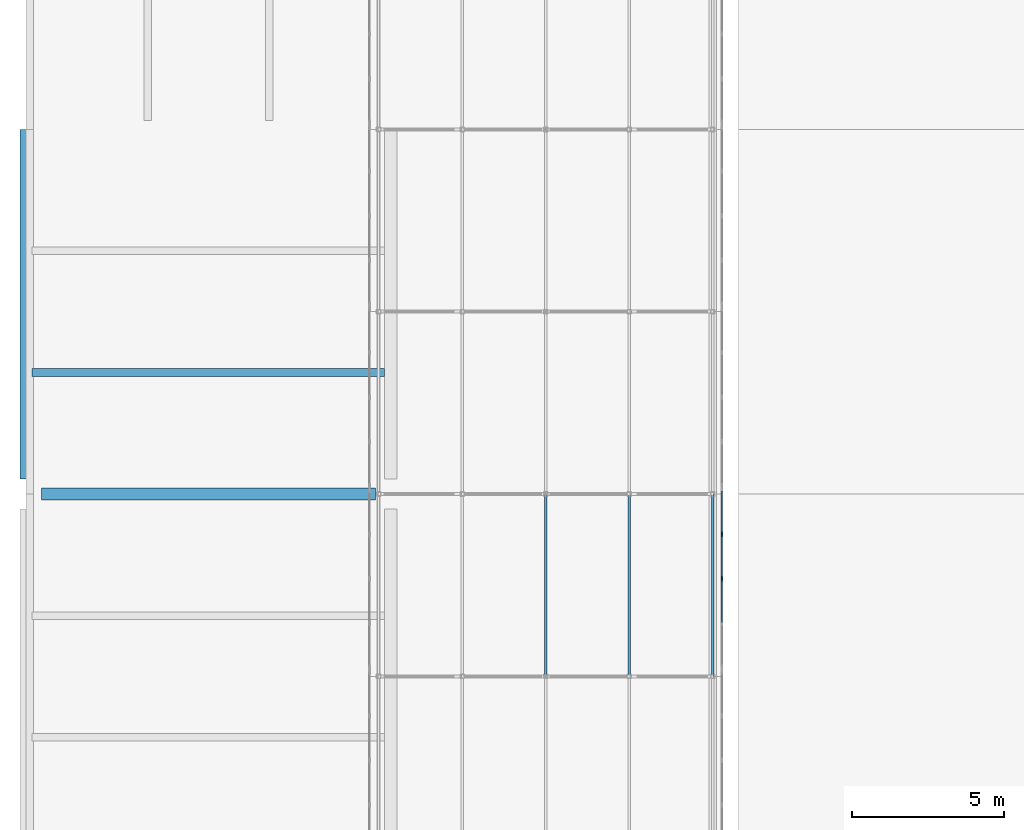
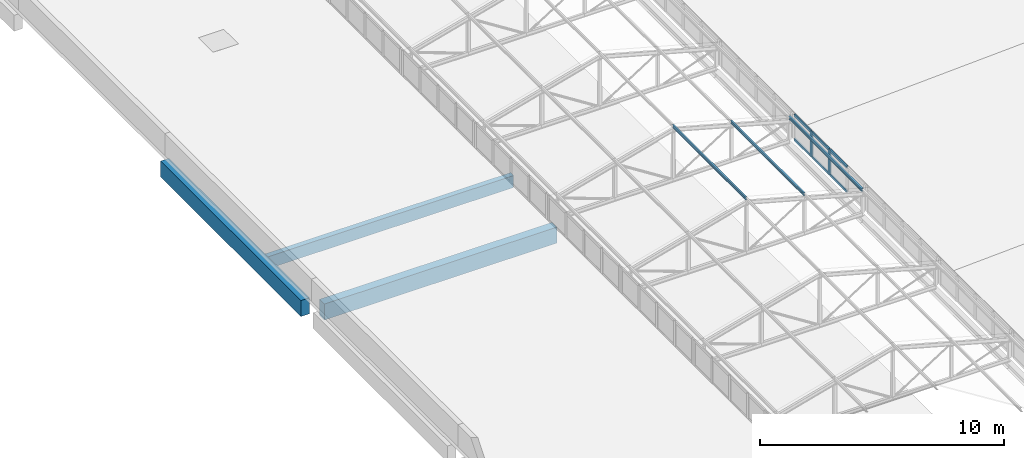
# One storey, part 16 of 94: 11 members, 3 beams, 1 element without a shape of its own.
"""IFC4 building model written with IfcOpenShell, lengths in metres."""

from ifc_helpers import new_model, si_unit, direction, frame, origin, origin_2d, place, context, subcontext, project, spatial, rectangle, i_section, extrude, material, layer, layer_set, material_profile, profile_set, type_object, element, aggregate, save


model = new_model("IFC4")

# Units and contexts
model_context = context("Model", 3, precision=1e-05, world=origin(), true_north=direction((0.0, 1.0)))
body_context = subcontext(model_context, "Body", "Model", "MODEL_VIEW")
ifc_project = project(units=[si_unit("LENGTHUNIT", "METRE"), si_unit("AREAUNIT", "SQUARE_METRE"), si_unit("VOLUMEUNIT", "CUBIC_METRE"), si_unit("PLANEANGLEUNIT", "RADIAN"), si_unit("MASSUNIT", "GRAM", prefix="KILO")], contexts=[model_context])

# Site, building, storey
site_placement = place(None, origin())
site = spatial("IfcSite", under=ifc_project, at=site_placement, CompositionType="ELEMENT")
building_placement = place(site_placement, origin())
building = spatial("IfcBuilding", under=site, at=building_placement, Name="Lilac Gate Convention Centre", CompositionType="ELEMENT")
storey_placement = place(building_placement, frame((0.0, 0.0, 21.0)))
storey = spatial("IfcBuildingStorey", under=building, at=storey_placement, Name="L04", CompositionType="ELEMENT", Elevation=21.0)

# Curtain wall, members
ifc_material_1 = material(Name="Aluminium framed double glazing", Category="aluminium")
ifc_layer = layer(ifc_material_1, 0.199951171875)
ifc_layer_set = layer_set([ifc_layer], Name="Aluminium framed double glazing")
curtain_wall_type = type_object("IfcCurtainWallType", Name="Unitised curtain wall 1500", PredefinedType="NOTDEFINED", material=ifc_layer_set)
curtain_wall_placement = place(storey_placement, origin())
curtain_wall = element("IfcCurtainWall", 1, at=curtain_wall_placement, inside=storey, type_object=curtain_wall_type, Name="Lantern clerestory E 8", PredefinedType="NOTDEFINED")
ifc_material_2 = material(Name="Aluminium alloy 6063", Category="aluminium")
ifc_material_profile_1 = material_profile(ifc_material_2, rectangle(XDim=0.06005859375, YDim=0.159912109375, at=origin_2d()), Name="Curtain wall mullion 60 x 160")
ifc_profile_set_1 = profile_set([ifc_material_profile_1], Name="Aluminium alloy 6063")
member_type_1 = type_object("IfcMemberType", Name="Curtain wall mullion 60 x 160", PredefinedType="MULLION", material=ifc_profile_set_1)
member_1_placement = place(storey_placement, frame((28.89990234375, 75.21240234375, 0.0), z_axis=(0.0, 0.0, 1.0), x_axis=(-1.0, 0.0, 0.0)))
member_1 = element("IfcMember", 2, at=member_1_placement, type_object=member_type_1, Name="CW mullion 3", PredefinedType="MULLION", context=body_context, shape_type="SweptSolid", body=[
    extrude(rectangle(XDim=0.06005859375, YDim=0.159912109375, at=origin_2d()), origin(), (0.0, 0.0, 1.0), 1.272216796875),
])
member_2_placement = place(storey_placement, frame((28.89990234375, 76.68115234375, 0.0), z_axis=(0.0, 0.0, 1.0), x_axis=(-1.0, 0.0, 0.0)))
member_2 = element("IfcMember", 3, at=member_2_placement, type_object=member_type_1, Name="CW mullion 4", PredefinedType="MULLION", context=body_context, shape_type="SweptSolid", body=[
    extrude(rectangle(XDim=0.06005859375, YDim=0.159912109375, at=origin_2d()), origin(), (0.0, 0.0, 1.0), 1.272216796875),
])
ifc_material_profile_2 = material_profile(ifc_material_2, rectangle(XDim=0.06005859375, YDim=0.1201171875, at=origin_2d()), Name="Curtain wall transom 60 x 120")
ifc_profile_set_2 = profile_set([ifc_material_profile_2], Name="Aluminium alloy 6063")
member_type_2 = type_object("IfcMemberType", Name="Curtain wall transom 60 x 120", PredefinedType="USERDEFINED", material=ifc_profile_set_2)
member_3_placement = place(storey_placement, frame((28.89990234375, 73.773681640625, 0.030029296875), z_axis=(0.0, 1.0, 0.0), x_axis=(-1.0, 0.0, 0.0)))
member_3 = element("IfcMember", 4, at=member_3_placement, type_object=member_type_2, Name="CW transom 2.1", ObjectType="TRANSOM", PredefinedType="USERDEFINED", context=body_context, shape_type="SweptSolid", body=[
    extrude(rectangle(XDim=0.06005859375, YDim=0.1201171875, at=origin_2d()), origin(), (0.0, 0.0, 1.0), 1.40869140625),
])
member_4_placement = place(storey_placement, frame((28.89990234375, 73.773681640625, 1.2421875), z_axis=(0.0, 1.0, 0.0), x_axis=(-1.0, 0.0, 0.0)))
member_4 = element("IfcMember", 5, at=member_4_placement, type_object=member_type_2, Name="CW transom 2.2", ObjectType="TRANSOM", PredefinedType="USERDEFINED", context=body_context, shape_type="SweptSolid", body=[
    extrude(rectangle(XDim=0.06005859375, YDim=0.1201171875, at=origin_2d()), origin(), (0.0, 0.0, 1.0), 1.40869140625),
])
member_5_placement = place(storey_placement, frame((28.89990234375, 75.242431640625, 0.030029296875), z_axis=(0.0, 1.0, 0.0), x_axis=(-1.0, 0.0, 0.0)))
member_5 = element("IfcMember", 6, at=member_5_placement, type_object=member_type_2, Name="CW transom 3.1", ObjectType="TRANSOM", PredefinedType="USERDEFINED", context=body_context, shape_type="SweptSolid", body=[
    extrude(rectangle(XDim=0.06005859375, YDim=0.1201171875, at=origin_2d()), origin(), (0.0, 0.0, 1.0), 1.40869140625),
])
member_6_placement = place(storey_placement, frame((28.89990234375, 75.242431640625, 1.2421875), z_axis=(0.0, 1.0, 0.0), x_axis=(-1.0, 0.0, 0.0)))
member_6 = element("IfcMember", 7, at=member_6_placement, type_object=member_type_2, Name="CW transom 3.2", ObjectType="TRANSOM", PredefinedType="USERDEFINED", context=body_context, shape_type="SweptSolid", body=[
    extrude(rectangle(XDim=0.06005859375, YDim=0.1201171875, at=origin_2d()), origin(), (0.0, 0.0, 1.0), 1.40869140625),
])
member_7_placement = place(storey_placement, frame((28.89990234375, 76.711181640625, 0.030029296875), z_axis=(0.0, 1.0, 0.0), x_axis=(-1.0, 0.0, 0.0)))
member_7 = element("IfcMember", 8, at=member_7_placement, type_object=member_type_2, Name="CW transom 4.1", ObjectType="TRANSOM", PredefinedType="USERDEFINED", context=body_context, shape_type="SweptSolid", body=[
    extrude(rectangle(XDim=0.06005859375, YDim=0.1201171875, at=origin_2d()), origin(), (0.0, 0.0, 1.0), 1.378662109375),
])
member_8_placement = place(storey_placement, frame((28.89990234375, 76.711181640625, 1.2421875), z_axis=(0.0, 1.0, 0.0), x_axis=(-1.0, 0.0, 0.0)))
member_8 = element("IfcMember", 9, at=member_8_placement, type_object=member_type_2, Name="CW transom 4.2", ObjectType="TRANSOM", PredefinedType="USERDEFINED", context=body_context, shape_type="SweptSolid", body=[
    extrude(rectangle(XDim=0.06005859375, YDim=0.1201171875, at=origin_2d()), origin(), (0.0, 0.0, 1.0), 1.378662109375),
])
aggregate(curtain_wall, [member_1, member_2, member_3, member_4, member_5, member_6, member_7, member_8])

# Members
ifc_material_3 = material(Name="Steel Q355B", Category="steel")
ifc_material_profile_3 = material_profile(ifc_material_3, i_section(OverallWidth=0.074951171875, OverallDepth=0.14990234375, WebThickness=0.0048828125, FlangeThickness=0.007080078125, FilletRadius=0.008056640625, at=origin_2d()), Name="HN150x75x5x7")
ifc_profile_set_3 = profile_set([ifc_material_profile_3], Name="Steel Q355B")
member_type_3 = type_object("IfcMemberType", Name="Lantern purlin HN150x75x5x7", PredefinedType="PURLIN", material=ifc_profile_set_3)
for number, where, z_axis, x_axis, name in (
    (10, (23.10009765625, 72.0, 2.779052734375), (0.0, 1.0, 0.0), (-1.0, 0.0, 0.0), "LP1 lantern purlin bay 8 line 3"),
    (11, (25.85009765625, 72.0, 2.029052734375), (0.0, 1.0, 0.0), (-1.0, 0.0, 0.0), "LP1 lantern purlin bay 8 line 4"),
    (12, (28.60009765625, 72.0, 1.279052734375), (0.0, 1.0, 0.0), (-1.0, 0.0, 0.0), "LP1 lantern purlin bay 8 line 5"),
):
    element("IfcMember", number, at=place(storey_placement, frame(where, z_axis=z_axis, x_axis=x_axis)), inside=storey, type_object=member_type_3, Name=name, PredefinedType="PURLIN", context=body_context, shape_type="SweptSolid", body=[
        extrude(i_section(OverallWidth=0.074951171875, OverallDepth=0.14990234375, WebThickness=0.0048828125, FlangeThickness=0.007080078125, FilletRadius=0.008056640625, at=origin_2d()), origin(), (0.0, 0.0, 1.0), 6.0),
    ])

# Beams
ifc_material_4 = material(Name="Concrete C40", Category="concrete")
ifc_material_profile_4 = material_profile(ifc_material_4, rectangle(XDim=0.39990234375, YDim=0.800048828125, at=origin_2d()), Name="RC 400x800")
ifc_profile_set_4 = profile_set([ifc_material_profile_4], Name="Concrete C40")
beam_type_1 = type_object("IfcBeamType", Name="Tower primary beam 400x800 C40", PredefinedType="BEAM", material=ifc_profile_set_4)
beam_1_placement = place(storey_placement, frame((6.5, 78.0, -0.60009765625), z_axis=(1.0, 0.0, 0.0), x_axis=(0.0, 1.0, 0.0)))
element("IfcBeam", 13, at=beam_1_placement, inside=storey, type_object=beam_type_1, Name="RB3 L04 1/E-2/E", PredefinedType="BEAM", context=body_context, shape_type="SweptSolid", body=[
    extrude(rectangle(XDim=0.39990234375, YDim=0.800048828125, at=origin_2d()), origin(), (0.0, 0.0, 1.0), 11.0),
])
beam_2_placement = place(storey_placement, frame((6.0, 78.5, -0.60009765625), z_axis=(0.0, 1.0, 0.0), x_axis=(-1.0, 0.0, 0.0)))
element("IfcBeam", 14, at=beam_2_placement, inside=storey, type_object=beam_type_1, Name="RB3 L04 1/E-1/F", PredefinedType="BEAM", context=body_context, shape_type="SweptSolid", body=[
    extrude(rectangle(XDim=0.39990234375, YDim=0.800048828125, at=origin_2d()), origin(), (0.0, 0.0, 1.0), 11.5),
])
ifc_material_profile_5 = material_profile(ifc_material_4, rectangle(XDim=0.25, YDim=0.60009765625, at=origin_2d()), Name="RC 250x600")
ifc_profile_set_5 = profile_set([ifc_material_profile_5], Name="Concrete C40")
beam_type_2 = type_object("IfcBeamType", Name="Tower secondary beam 250x600 C40", PredefinedType="BEAM", material=ifc_profile_set_5)
beam_3_placement = place(storey_placement, frame((6.199951171875, 82.0, -0.5), z_axis=(1.0, 0.0, 0.0), x_axis=(0.0, 1.0, 0.0)))
element("IfcBeam", 15, at=beam_3_placement, inside=storey, type_object=beam_type_2, Name="RB4 L04 bay 1/E", PredefinedType="BEAM", context=body_context, shape_type="SweptSolid", body=[
    extrude(rectangle(XDim=0.25, YDim=0.60009765625, at=origin_2d()), origin(), (0.0, 0.0, 1.0), 11.60009765625),
])

save(model, "model.ifc")
